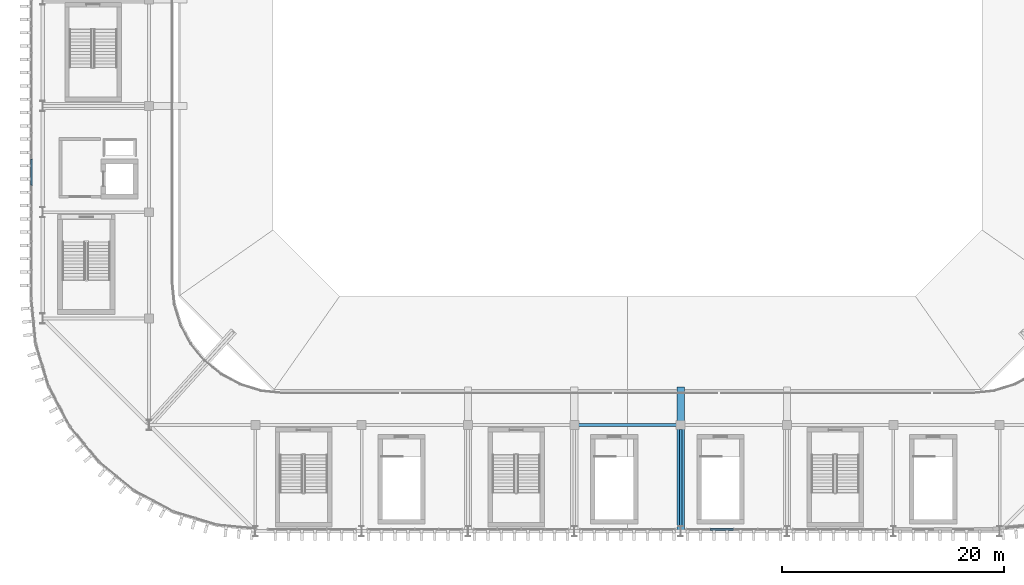
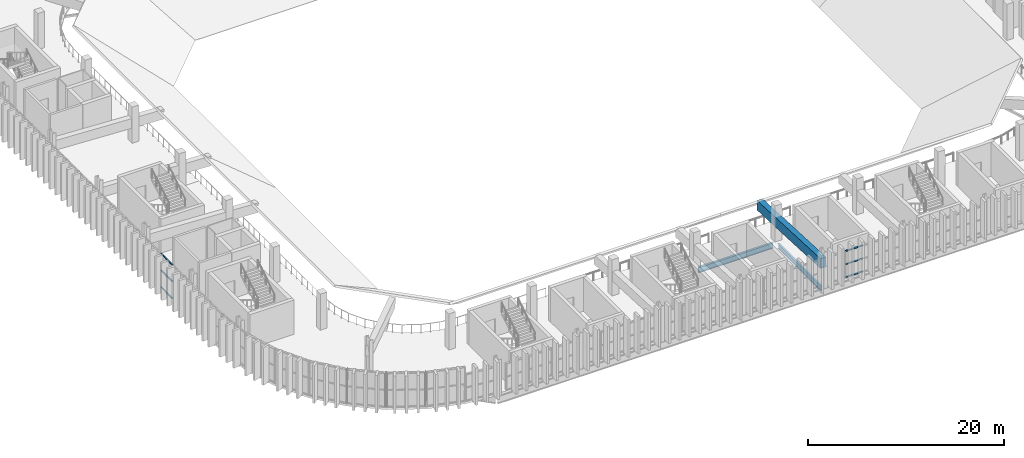
# One storey, part 16 of 69: 6 members, 3 beams, 2 elements without a shape of their own.
"""IFC4 building model written with IfcOpenShell, lengths in metres."""

from ifc_helpers import new_model, si_unit, direction, frame, origin, origin_2d, place, context, subcontext, project, spatial, rectangle, i_section, extrude, material, layer, layer_set, material_profile, profile_set, type_object, element, aggregate, save


model = new_model("IFC4")

# Units and contexts
model_context = context("Model", 3, precision=1e-05, world=origin(), true_north=direction((0.0, 1.0)))
body_context = subcontext(model_context, "Body", "Model", "MODEL_VIEW")
ifc_project = project(units=[si_unit("LENGTHUNIT", "METRE"), si_unit("AREAUNIT", "SQUARE_METRE"), si_unit("VOLUMEUNIT", "CUBIC_METRE"), si_unit("PLANEANGLEUNIT", "RADIAN"), si_unit("MASSUNIT", "GRAM", prefix="KILO")], contexts=[model_context])

# Site, building, storey
site_placement = place(None, origin())
site = spatial("IfcSite", under=ifc_project, at=site_placement, CompositionType="ELEMENT")
building_placement = place(site_placement, origin())
building = spatial("IfcBuilding", under=site, at=building_placement, Name="Caelomonte Colonnade Arena", CompositionType="ELEMENT")
storey_placement = place(building_placement, frame((0.0, 0.0, 18.60009765625)))
storey = spatial("IfcBuildingStorey", under=building, at=storey_placement, Name="L04", CompositionType="ELEMENT", Elevation=18.60009765625)

# Curtain wall, members
ifc_material_1 = material(Name="Bronze anodised aluminium and low-E glazing", Category="aluminium")
ifc_layer_1 = layer(ifc_material_1, 0.179931640625)
ifc_layer_set_1 = layer_set([ifc_layer_1], Name="Bronze anodised aluminium and low-E glazing")
curtain_wall_type_1 = type_object("IfcCurtainWallType", Name="ENV-CW-CW-L04-96-33", PredefinedType="USERDEFINED", material=ifc_layer_set_1)
curtain_wall_1_placement = place(storey_placement, origin())
curtain_wall_1 = element("IfcCurtainWall", 1, at=curtain_wall_1_placement, inside=storey, type_object=curtain_wall_type_1, Name="L04 unitized curtain wall CW-L04-1200-0194", ObjectType="UNITIZED CURTAIN WALL", PredefinedType="USERDEFINED")
ifc_material_2 = material(Name="Bronze anodised aluminium AA6063-T6", Category="aluminium")
ifc_material_profile_1 = material_profile(ifc_material_2, rectangle(XDim=0.070068359375, YDim=0.139892578125, at=origin_2d()), Name="CWT-70X140")
ifc_profile_set_1 = profile_set([ifc_material_profile_1], Name="Bronze anodised aluminium AA6063-T6")
member_type = type_object("IfcMemberType", Name="ENV-CW-TRAN1", PredefinedType="USERDEFINED", material=ifc_profile_set_1)
member_1_placement = place(storey_placement, frame((117.876708984375, 19.3798828125, 0.034912109375), z_axis=(1.0, 0.0, 0.0), x_axis=(0.0, 0.0, 1.0)))
member_1 = element("IfcMember", 2, at=member_1_placement, type_object=member_type, Name="CW-L04-96-33 transom 2.1", ObjectType="TRANSOM", PredefinedType="USERDEFINED", context=body_context, shape_type="SweptSolid", body=[
    extrude(rectangle(XDim=0.070068359375, YDim=0.139892578125, at=origin_2d()), origin(), (0.0, 0.0, 1.0), 2.08837890625),
])
member_2_placement = place(storey_placement, frame((117.876708984375, 19.3798828125, 1.65625), z_axis=(1.0, 0.0, 0.0), x_axis=(0.0, 0.0, 1.0)))
member_2 = element("IfcMember", 3, at=member_2_placement, type_object=member_type, Name="CW-L04-96-33 transom 2.2", ObjectType="TRANSOM", PredefinedType="USERDEFINED", context=body_context, shape_type="SweptSolid", body=[
    extrude(rectangle(XDim=0.070068359375, YDim=0.139892578125, at=origin_2d()), origin(), (0.0, 0.0, 1.0), 2.08837890625),
])
member_3_placement = place(storey_placement, frame((117.876708984375, 19.3798828125, 3.277587890625), z_axis=(1.0, 0.0, 0.0), x_axis=(0.0, 0.0, 1.0)))
member_3 = element("IfcMember", 4, at=member_3_placement, type_object=member_type, Name="CW-L04-96-33 transom 2.3", ObjectType="TRANSOM", PredefinedType="USERDEFINED", context=body_context, shape_type="SweptSolid", body=[
    extrude(rectangle(XDim=0.070068359375, YDim=0.139892578125, at=origin_2d()), origin(), (0.0, 0.0, 1.0), 2.08837890625),
])
aggregate(curtain_wall_1, [member_1, member_2, member_3])

ifc_layer_2 = layer(ifc_material_1, 0.179931640625)
ifc_layer_set_2 = layer_set([ifc_layer_2], Name="Bronze anodised aluminium and low-E glazing")
curtain_wall_type_2 = type_object("IfcCurtainWallType", Name="ENV-CW-CW-L04-96-42", PredefinedType="USERDEFINED", material=ifc_layer_set_2)
curtain_wall_2_placement = place(storey_placement, origin())
curtain_wall_2 = element("IfcCurtainWall", 5, at=curtain_wall_2_placement, inside=storey, type_object=curtain_wall_type_2, Name="L04 unitized curtain wall CW-L04-0566-0528", ObjectType="UNITIZED CURTAIN WALL", PredefinedType="USERDEFINED")
member_4_placement = place(storey_placement, frame((56.580078125, 52.764892578125, 0.034912109375), z_axis=(0.0, -1.0, 0.0), x_axis=(0.0, 0.0, 1.0)))
member_4 = element("IfcMember", 6, at=member_4_placement, type_object=member_type, Name="CW-L04-96-42 transom 3.1", ObjectType="TRANSOM", PredefinedType="USERDEFINED", context=body_context, shape_type="SweptSolid", body=[
    extrude(rectangle(XDim=0.070068359375, YDim=0.139892578125, at=origin_2d()), origin(), (0.0, 0.0, 1.0), 2.309814453125),
])
member_5_placement = place(storey_placement, frame((56.580078125, 52.764892578125, 2.119873046875), z_axis=(0.0, -1.0, 0.0), x_axis=(0.0, 0.0, 1.0)))
member_5 = element("IfcMember", 7, at=member_5_placement, type_object=member_type, Name="CW-L04-96-42 transom 3.2", ObjectType="TRANSOM", PredefinedType="USERDEFINED", context=body_context, shape_type="SweptSolid", body=[
    extrude(rectangle(XDim=0.070068359375, YDim=0.139892578125, at=origin_2d()), origin(), (0.0, 0.0, 1.0), 2.309814453125),
])
member_6_placement = place(storey_placement, frame((56.580078125, 52.764892578125, 4.204833984375), z_axis=(0.0, -1.0, 0.0), x_axis=(0.0, 0.0, 1.0)))
member_6 = element("IfcMember", 8, at=member_6_placement, type_object=member_type, Name="CW-L04-96-42 transom 3.3", ObjectType="TRANSOM", PredefinedType="USERDEFINED", context=body_context, shape_type="SweptSolid", body=[
    extrude(rectangle(XDim=0.070068359375, YDim=0.139892578125, at=origin_2d()), origin(), (0.0, 0.0, 1.0), 2.309814453125),
])
aggregate(curtain_wall_2, [member_4, member_5, member_6])

# Beams
ifc_material_3 = material(Name="Wide-flange steel ASTM A992 Grade 50", Category="steel")
ifc_material_profile_2 = material_profile(ifc_material_3, i_section(OverallWidth=0.227783203125, OverallDepth=0.60205078125, WebThickness=0.010498046875, FlangeThickness=0.014892578125, FilletRadius=0.0126953125, at=origin_2d()), Name="W24X68")
ifc_profile_set_2 = profile_set([ifc_material_profile_2], Name="Wide-flange steel ASTM A992 Grade 50")
beam_type_1 = type_object("IfcBeamType", Name="STR-BM-GIRD24B", PredefinedType="SPANDREL", material=ifc_profile_set_2)
beam_1_placement = place(storey_placement, frame((115.199951171875, 19.665771484375, -0.56103515625), z_axis=(0.0, 1.0, 0.0), x_axis=(-1.0, 0.0, 0.0)))
element("IfcBeam", 9, at=beam_1_placement, inside=storey, type_object=beam_type_1, Name="L04 girder BMY-L04-1152-0192", PredefinedType="SPANDREL", context=body_context, shape_type="SweptSolid", body=[
    extrude(i_section(OverallWidth=0.227783203125, OverallDepth=0.60205078125, WebThickness=0.010498046875, FlangeThickness=0.014892578125, FilletRadius=0.0126953125, at=origin_2d()), origin(), (0.0, 0.0, 1.0), 8.7421875),
])
ifc_material_profile_3 = material_profile(ifc_material_3, i_section(OverallWidth=0.253662109375, OverallDepth=0.683349609375, WebThickness=0.012451171875, FlangeThickness=0.018798828125, FilletRadius=0.01513671875, at=origin_2d()), Name="W27X94")
ifc_profile_set_3 = profile_set([ifc_material_profile_3], Name="Wide-flange steel ASTM A992 Grade 50")
beam_type_2 = type_object("IfcBeamType", Name="STR-BM-GIRD27", PredefinedType="BEAM", material=ifc_profile_set_3)
beam_2_placement = place(storey_placement, frame((105.991943359375, 28.800048828125, -0.601806640625), z_axis=(1.0, 0.0, 0.0), x_axis=(0.0, 1.0, 0.0)))
element("IfcBeam", 10, at=beam_2_placement, inside=storey, type_object=beam_type_2, Name="L04 girder BMX-L04-1056-0288", PredefinedType="BEAM", context=body_context, shape_type="SweptSolid", body=[
    extrude(i_section(OverallWidth=0.253662109375, OverallDepth=0.683349609375, WebThickness=0.012451171875, FlangeThickness=0.018798828125, FilletRadius=0.01513671875, at=origin_2d()), origin(), (0.0, 0.0, 1.0), 8.816162109375),
])
ifc_material_4 = material(Name="Concrete C50/60", Category="concrete")
ifc_material_profile_4 = material_profile(ifc_material_4, rectangle(XDim=0.64990234375, YDim=1.199951171875, at=origin_2d()), Name="RC650X1200")
ifc_profile_set_4 = profile_set([ifc_material_profile_4], Name="Concrete C50/60")
beam_type_3 = type_object("IfcBeamType", Name="STR-BM-RKU", PredefinedType="USERDEFINED", material=ifc_profile_set_4)
beam_3_placement = place(storey_placement, frame((115.199951171875, 19.219970703125, 2.849853515625), z_axis=(0.0, 0.998933852291, -0.046164474948), x_axis=(-1.0, 0.0, 0.0)))
element("IfcBeam", 11, at=beam_3_placement, inside=storey, type_object=beam_type_3, Name="Upper bowl cantilevered raker girder S-115", ObjectType="RAKER", PredefinedType="USERDEFINED", context=body_context, shape_type="SweptSolid", body=[
    extrude(rectangle(XDim=0.64990234375, YDim=1.199951171875, at=origin_2d()), origin(), (0.0, 0.0, 1.0), 12.993896484375),
])

save(model, "model.ifc")
